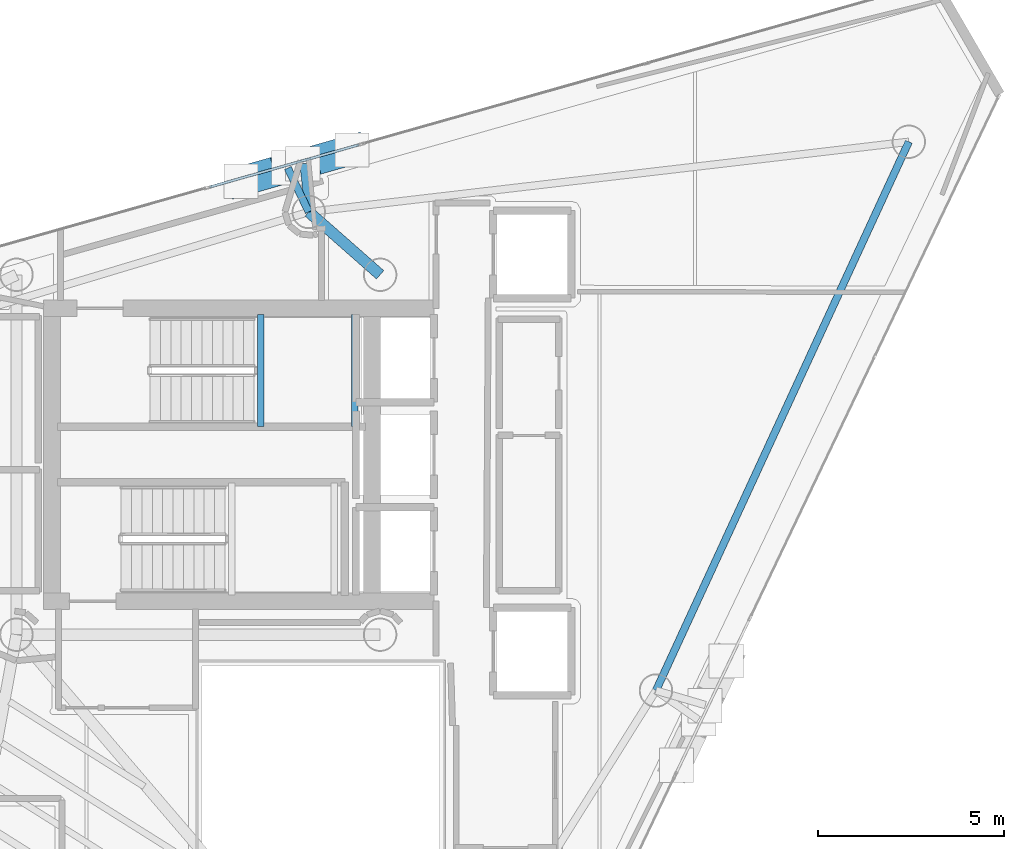
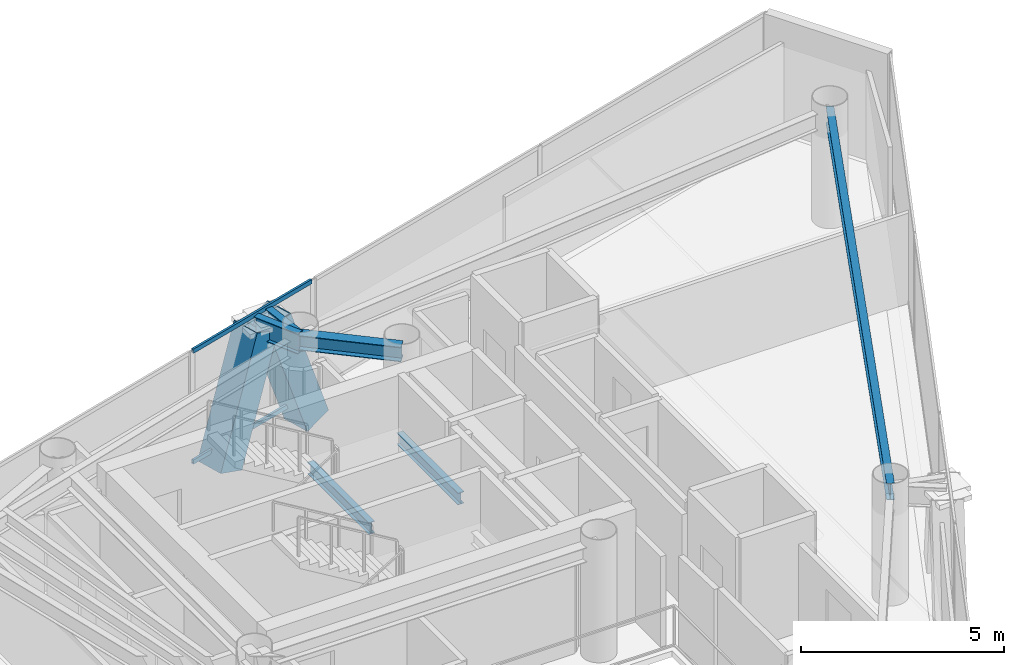
# One storey, part 12 of 20: 6 beams, 4 members, 1 element without a shape of its own.
"""IFC4 building model written with IfcOpenShell, lengths in metres."""

from ifc_helpers import new_model, si_unit, direction, frame, origin, origin_2d, place, context, subcontext, project, spatial, hollow_rectangle, i_section, extrude, material, layer, layer_set, material_profile, profile_set, type_object, element, aggregate, save


model = new_model("IFC4")

# Units and contexts
model_context = context("Model", 3, precision=1e-05, world=origin(), true_north=direction((0.0, 1.0)))
body_context = subcontext(model_context, "Body", "Model", "MODEL_VIEW")
ifc_project = project(units=[si_unit("LENGTHUNIT", "METRE"), si_unit("AREAUNIT", "SQUARE_METRE"), si_unit("VOLUMEUNIT", "CUBIC_METRE"), si_unit("PLANEANGLEUNIT", "RADIAN"), si_unit("MASSUNIT", "GRAM", prefix="KILO")], contexts=[model_context])

# Site, building, storey
site_placement = place(None, origin())
site = spatial("IfcSite", under=ifc_project, at=site_placement, CompositionType="ELEMENT")
building_placement = place(site_placement, origin())
building = spatial("IfcBuilding", under=site, at=building_placement, Name="Qianvela Tower", CompositionType="ELEMENT")
storey_placement = place(building_placement, frame((0.0, 0.0, 317.60009765625)))
storey = spatial("IfcBuildingStorey", under=building, at=storey_placement, Name="L82", CompositionType="ELEMENT", Elevation=317.60009765625)

# Beams
ifc_material_1 = material(Name="Steel Q355B", Category="steel")
ifc_material_profile_1 = material_profile(ifc_material_1, i_section(OverallWidth=0.300048828125, OverallDepth=0.43994140625, WebThickness=0.010986328125, FlangeThickness=0.01806640625, at=origin_2d()), Name="HM440x300x11x18")
ifc_profile_set_1 = profile_set([ifc_material_profile_1], Name="Steel Q355B")
beam_type_1 = type_object("IfcBeamType", Name="BM-HM440-COLL", PredefinedType="BEAM", material=ifc_profile_set_1)
beam_1_placement = place(storey_placement, frame((38.39990234375, 33.550048828125, 3.177978515625), z_axis=(-0.750732416106, 0.660606417928, 0.0), x_axis=(-0.660606417928, -0.750732416106, 0.0)))
element("IfcBeam", 1, at=beam_1_placement, inside=storey, type_object=beam_type_1, Name="L82 Radial Primary Floor Girder 2", PredefinedType="BEAM", context=body_context, shape_type="SweptSolid", body=[
    extrude(i_section(OverallWidth=0.300048828125, OverallDepth=0.43994140625, WebThickness=0.010986328125, FlangeThickness=0.01806640625, at=origin_2d()), origin(), (0.0, 0.0, 1.0), 2.5625),
])
ifc_material_2 = material(Name="Steel Q355B", Category="steel")
ifc_material_profile_2 = material_profile(ifc_material_2, i_section(OverallWidth=0.175048828125, OverallDepth=0.35009765625, WebThickness=0.007080078125, FlangeThickness=0.010986328125, at=origin_2d()), Name="HN350x175x7x11")
ifc_profile_set_2 = profile_set([ifc_material_profile_2], Name="Steel Q355B")
beam_type_2 = type_object("IfcBeamType", Name="BM-HN350-JOIST", PredefinedType="JOIST", material=ifc_profile_set_2)
for number, where, z_axis, x_axis, name in (
    (2, (35.179931640625, 29.4599609375, 1.474853515625), (0.0, 1.0, 0.0), (-1.0, 0.0, 0.0), "L82 Stair ST-1 Landing Support Beam 1.1"),
    (3, (37.719970703125, 29.4599609375, 1.474853515625), (0.0, 1.0, 0.0), (-1.0, 0.0, 0.0), "L82 Stair ST-1 Landing Support Beam 1.2"),
):
    element("IfcBeam", number, at=place(storey_placement, frame(where, z_axis=z_axis, x_axis=x_axis)), inside=storey, type_object=beam_type_2, Name=name, PredefinedType="JOIST", context=body_context, shape_type="SweptSolid", body=[
        extrude(i_section(OverallWidth=0.175048828125, OverallDepth=0.35009765625, WebThickness=0.007080078125, FlangeThickness=0.010986328125, at=origin_2d()), origin(), (0.0, 0.0, 1.0), 3.02001953125),
    ])
ifc_material_3 = material(Name="Steel Q355B", Category="steel")
ifc_material_profile_3 = material_profile(ifc_material_3, i_section(OverallWidth=0.199951171875, OverallDepth=0.5, WebThickness=0.010009765625, FlangeThickness=0.01611328125, at=origin_2d()), Name="HN500x200x10x16")
ifc_profile_set_3 = profile_set([ifc_material_profile_3], Name="Steel Q355B")
beam_type_3 = type_object("IfcBeamType", Name="BM-HN500-GIRD", PredefinedType="BEAM", material=ifc_profile_set_3)
beam_2_placement = place(storey_placement, frame((45.833984375, 22.344970703125, 3.14794921875), z_axis=(0.418440097712, 0.908244396969, 0.0), x_axis=(-0.908244396969, 0.418440097712, 0.0)))
element("IfcBeam", 4, at=beam_2_placement, inside=storey, type_object=beam_type_3, Name="L82 Perimeter Ring Spandrel Girder 6", PredefinedType="BEAM", context=body_context, shape_type="SweptSolid", body=[
    extrude(i_section(OverallWidth=0.199951171875, OverallDepth=0.5, WebThickness=0.010009765625, FlangeThickness=0.01611328125, at=origin_2d()), origin(), (0.0, 0.0, 1.0), 16.2841796875),
])
ifc_material_4 = material(Name="Steel Q355B", Category="steel")
ifc_material_profile_4 = material_profile(ifc_material_4, i_section(OverallWidth=0.199951171875, OverallDepth=0.60009765625, WebThickness=0.010986328125, FlangeThickness=0.01708984375, at=origin_2d()), Name="HN600x200x11x17")
ifc_profile_set_4 = profile_set([ifc_material_profile_4], Name="Steel Q355B")
beam_type_4 = type_object("IfcBeamType", Name="BM-HN600-GIRD", PredefinedType="BEAM", material=ifc_profile_set_4)
for number, where, z_axis, x_axis, name in (
    (5, (36.47607421875, 35.242919921875, 3.097900390625), (-0.107223243375, 0.994234970256, 0.0), (-0.994234970256, -0.107223243375, 0.0), "L82 Mega-Brace Column Tie Bracket F1-1"),
    (6, (36.47607421875, 35.242919921875, 3.097900390625), (-0.43000583676, 0.902826107483, 0.0), (-0.902826107483, -0.43000583676, 0.0), "L82 Mega-Brace Column Tie Bracket F1-2"),
):
    element("IfcBeam", number, at=place(storey_placement, frame(where, z_axis=z_axis, x_axis=x_axis)), inside=storey, type_object=beam_type_4, Name=name, PredefinedType="BEAM", context=body_context, shape_type="SweptSolid", body=[
        extrude(i_section(OverallWidth=0.199951171875, OverallDepth=0.60009765625, WebThickness=0.010986328125, FlangeThickness=0.01708984375, at=origin_2d()), origin(), (0.0, 0.0, 1.0), 1.3115234375),
    ])

# Curtain wall, members
ifc_material_5 = material(Name="Anodised Architectural Aluminium and Insulated Spandrel Panel", Category="aluminium")
ifc_layer = layer(ifc_material_5, 0.179931640625)
ifc_layer_set = layer_set([ifc_layer], Name="Anodised Architectural Aluminium and Insulated Spandrel Panel")
curtain_wall_type = type_object("IfcCurtainWallType", Name="CW-BRACEBAY", PredefinedType="USERDEFINED", material=ifc_layer_set)
curtain_wall_placement = place(storey_placement, origin())
curtain_wall = element("IfcCurtainWall", 7, at=curtain_wall_placement, inside=storey, type_object=curtain_wall_type, Name="L82 CW-BRACEBAY Curtain Wall 02B", ObjectType="CURTAIN_WALL_SYSTEM", PredefinedType="USERDEFINED")
ifc_material_6 = material(Name="Anodised Architectural Aluminium 6063-T6", Category="aluminium")
ifc_material_profile_5 = material_profile(ifc_material_6, hollow_rectangle(XDim=0.06494140625, YDim=0.1298828125, WallThickness=0.00439453125, at=origin_2d()), Name="ALU-TRAN-65x130")
ifc_profile_set_5 = profile_set([ifc_material_profile_5], Name="Anodised Architectural Aluminium 6063-T6")
member_type_1 = type_object("IfcMemberType", Name="CW-BRACEBAY-TRAN", PredefinedType="USERDEFINED", material=ifc_profile_set_5)
member_1_placement = place(storey_placement, frame((37.827392578125, 37.052490234375, 0.032470703125), z_axis=(-0.962178029635, -0.27242143691, 0.0), x_axis=(0.27242143691, -0.962178029635, 0.0)))
member_1 = element("IfcMember", 8, at=member_1_placement, type_object=member_type_1, Name="CW-9 transom 1.1", ObjectType="TRANSOM", PredefinedType="USERDEFINED", context=body_context, shape_type="SweptSolid", body=[
    extrude(hollow_rectangle(XDim=0.06494140625, YDim=0.1298828125, WallThickness=0.00439453125, at=origin_2d()), origin(), (0.0, 0.0, 1.0), 4.179931640625),
])
member_2_placement = place(storey_placement, frame((37.827392578125, 37.052490234375, 3.367431640625), z_axis=(-0.962178029635, -0.27242143691, 0.0), x_axis=(0.27242143691, -0.962178029635, 0.0)))
member_2 = element("IfcMember", 9, at=member_2_placement, type_object=member_type_1, Name="CW-9 transom 1.2", ObjectType="TRANSOM", PredefinedType="USERDEFINED", context=body_context, shape_type="SweptSolid", body=[
    extrude(hollow_rectangle(XDim=0.06494140625, YDim=0.1298828125, WallThickness=0.00439453125, at=origin_2d()), origin(), (0.0, 0.0, 1.0), 4.179931640625),
])
aggregate(curtain_wall, [member_1, member_2])

# Members
ifc_material_7 = material(Name="Steel Q420GJC", Category="steel")
ifc_material_profile_6 = material_profile(ifc_material_7, hollow_rectangle(XDim=0.800048828125, YDim=0.800048828125, WallThickness=0.028076171875, at=origin_2d()), Name="MBOX-800x800x28")
ifc_profile_set_6 = profile_set([ifc_material_profile_6], Name="Steel Q420GJC")
member_type_2 = type_object("IfcMemberType", Name="MBR-MBRACE-800", PredefinedType="BRACE", material=ifc_profile_set_6)
member_3_placement = place(storey_placement, frame((37.619384765625, 36.910400390625, -0.482177734375), z_axis=(-0.336048905075, -0.095146761677, 0.937026268116), x_axis=(0.272424737525, -0.962177095126, 0.0)))
element("IfcMember", 10, at=member_3_placement, inside=storey, type_object=member_type_2, Name="L82 Tier 13 Exterior Mega-Brace F1A", PredefinedType="BRACE", context=body_context, shape_type="SweptSolid", body=[
    extrude(hollow_rectangle(XDim=0.800048828125, YDim=0.800048828125, WallThickness=0.028076171875, at=origin_2d()), origin(), (0.0, 0.0, 1.0), 3.82080078125),
])
member_4_placement = place(storey_placement, frame((34.67041015625, 36.075439453125, -0.482177734375), z_axis=(0.326284580654, 0.092381005926, 0.940746577018), x_axis=(-0.272421607023, 0.962177981471, 0.0)))
element("IfcMember", 11, at=member_4_placement, inside=storey, type_object=member_type_2, Name="L82 Tier 13 Exterior Mega-Brace F1B", PredefinedType="BRACE", context=body_context, shape_type="SweptSolid", body=[
    extrude(hollow_rectangle(XDim=0.800048828125, YDim=0.800048828125, WallThickness=0.028076171875, at=origin_2d()), origin(), (0.0, 0.0, 1.0), 3.8056640625),
])

save(model, "model.ifc")
